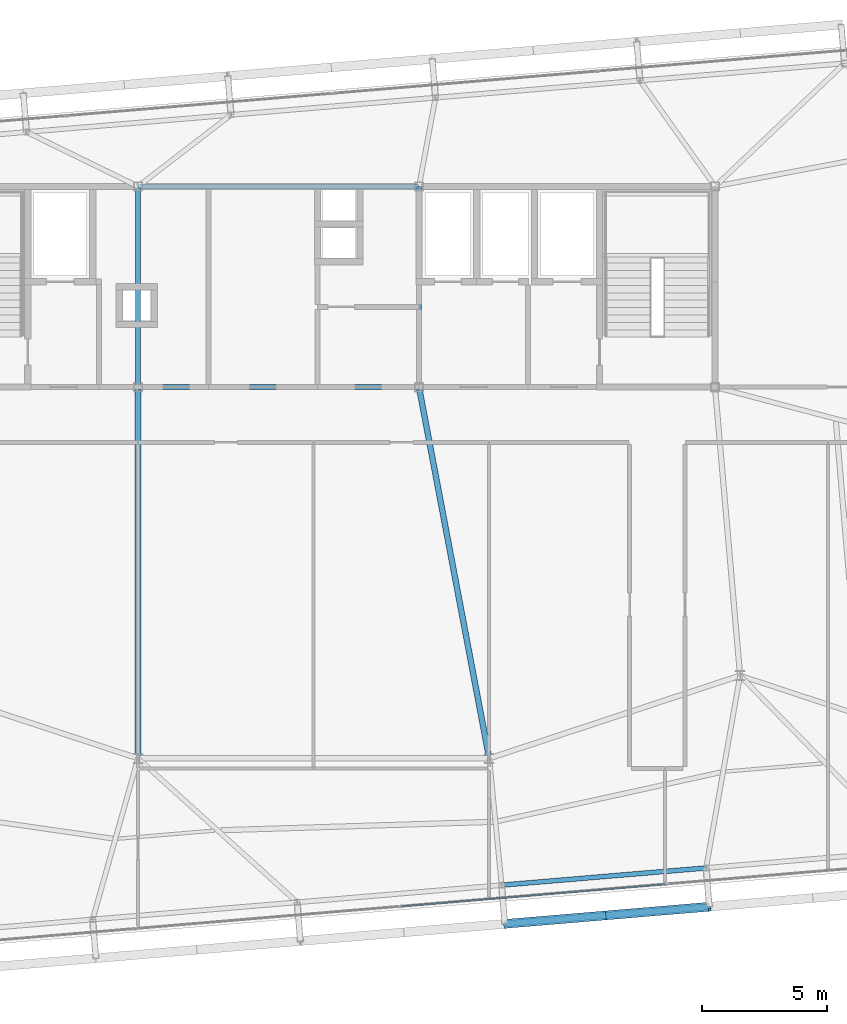
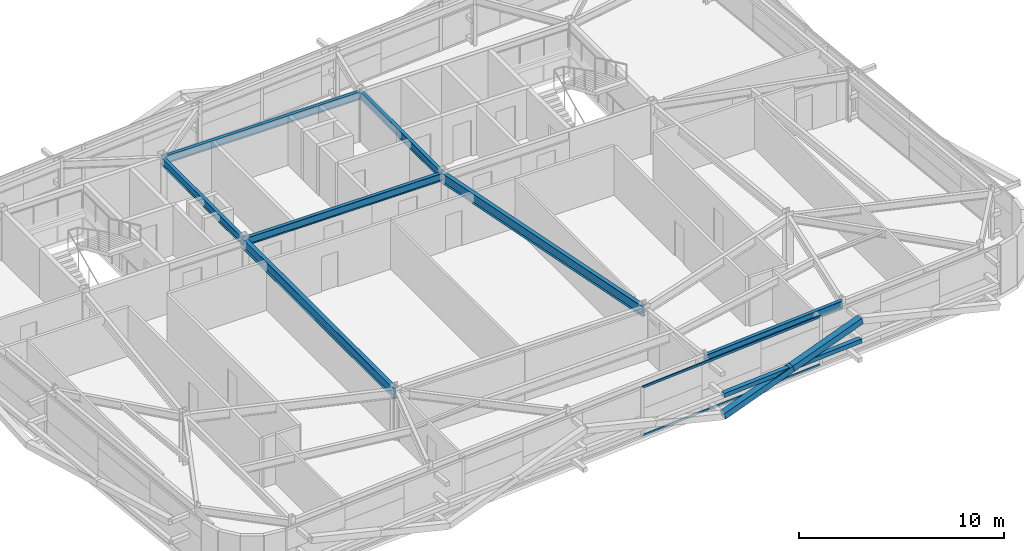
# One storey, part 15 of 39: 7 beams, 5 members, 1 element without a shape of its own.
"""IFC4 building model written with IfcOpenShell, lengths in metres."""

from ifc_helpers import new_model, si_unit, direction, frame, origin, origin_2d, place, context, subcontext, project, spatial, hollow_rectangle, i_section, extrude, source, transform, mapped, material, layer, layer_set, material_profile, profile_set, type_object, element, aggregate, save


model = new_model("IFC4")

# Units and contexts
model_context = context("Model", 3, precision=1e-05, world=origin(), true_north=direction((0.0, 1.0)))
body_context = subcontext(model_context, "Body", "Model", "MODEL_VIEW")
ifc_project = project(units=[si_unit("LENGTHUNIT", "METRE"), si_unit("AREAUNIT", "SQUARE_METRE"), si_unit("VOLUMEUNIT", "CUBIC_METRE"), si_unit("PLANEANGLEUNIT", "RADIAN"), si_unit("MASSUNIT", "GRAM", prefix="KILO")], contexts=[model_context])

# Site, building, storey
site_placement = place(None, origin())
site = spatial("IfcSite", under=ifc_project, at=site_placement, CompositionType="ELEMENT")
building_placement = place(site_placement, origin())
building = spatial("IfcBuilding", under=site, at=building_placement, Name="Taldren Reach Tower", CompositionType="ELEMENT")
storey_placement = place(building_placement, frame((0.0, 0.0, 175.699951171875)))
storey = spatial("IfcBuildingStorey", under=building, at=storey_placement, Name="L53", CompositionType="ELEMENT", Elevation=175.699951171875)

# Beams
ifc_material_1 = material(Name="Steel Gr 350 (350PLUS)", Category="steel")
ifc_material_profile_1 = material_profile(ifc_material_1, i_section(OverallWidth=0.19091796875, OverallDepth=0.4599609375, WebThickness=0.010009765625, FlangeThickness=0.01611328125, at=origin_2d()), Name="460UB82.1")
ifc_profile_set_1 = profile_set([ifc_material_profile_1], Name="Steel Gr 350 (350PLUS)")
beam_type_1 = type_object("IfcBeamType", Name="BM-UB460A", PredefinedType="BEAM", material=ifc_profile_set_1)
shared_shape_1 = source(origin(), body_context, "Body", "SweptSolid", [
    extrude(i_section(OverallWidth=0.19091796875, OverallDepth=0.4599609375, WebThickness=0.010009765625, FlangeThickness=0.01611328125, at=origin_2d()), origin(), (0.0, 0.0, 1.0), 11.199951171875),
])
for number, where, z_axis, x_axis, name in (
    (1, (28.0, 24.0, 2.699951171875), (1.0, 0.0, 0.0), (0.0, 1.0, 0.0), "Core-spine girder L53-SP02"),
    (2, (28.0, 32.0, 2.699951171875), (1.0, 0.0, 0.0), (0.0, 1.0, 0.0), "Core-spine girder L53-SP05"),
):
    element("IfcBeam", number, at=place(storey_placement, frame(where, z_axis=z_axis, x_axis=x_axis)), inside=storey, type_object=beam_type_1, Name=name, PredefinedType="BEAM", context=body_context, shape_type="MappedRepresentation", body=[
        mapped(shared_shape_1, transform((0.0, 0.0, 0.0), scale=1.0)),
    ])
shared_shape_2 = source(origin(), body_context, "Body", "SweptSolid", [
    extrude(i_section(OverallWidth=0.19091796875, OverallDepth=0.4599609375, WebThickness=0.010009765625, FlangeThickness=0.01611328125, at=origin_2d()), origin(), (0.0, 0.0, 1.0), 8.0),
])
for number, where, z_axis, x_axis, name in (
    (3, (28.0, 24.0, 2.699951171875), (0.0, 1.0, 0.0), (-1.0, 0.0, 0.0), "Core-spine girder L53-SP07"),
    (4, (39.199951171875, 24.0, 2.699951171875), (0.0, 1.0, 0.0), (-1.0, 0.0, 0.0), "Core-spine girder L53-SP08"),
):
    element("IfcBeam", number, at=place(storey_placement, frame(where, z_axis=z_axis, x_axis=x_axis)), inside=storey, type_object=beam_type_1, Name=name, PredefinedType="BEAM", context=body_context, shape_type="MappedRepresentation", body=[
        mapped(shared_shape_2, transform((0.0, 0.0, 0.0), scale=1.0)),
    ])
ifc_material_profile_2 = material_profile(ifc_material_1, i_section(OverallWidth=0.22802734375, OverallDepth=0.60205078125, WebThickness=0.010498046875, FlangeThickness=0.014892578125, at=origin_2d()), Name="610UB101")
ifc_profile_set_2 = profile_set([ifc_material_profile_2], Name="Steel Gr 350 (350PLUS)")
beam_type_2 = type_object("IfcBeamType", Name="BM-UB610B", PredefinedType="BEAM", material=ifc_profile_set_2)
shared_shape_3 = source(origin(), body_context, "Body", "SweptSolid", [
    extrude(i_section(OverallWidth=0.22802734375, OverallDepth=0.60205078125, WebThickness=0.010498046875, FlangeThickness=0.014892578125, at=origin_2d()), origin(), (0.0, 0.0, 1.0), 14.800048828125),
])
beam_1_placement = place(storey_placement, frame((28.0, 24.0, 2.629150390625), z_axis=(0.0, -1.0, 0.0), x_axis=(1.0, 0.0, 0.0)))
element("IfcBeam", 5, at=beam_1_placement, inside=storey, type_object=beam_type_2, Name="Core-spine girder L53-SP14", PredefinedType="BEAM", context=body_context, shape_type="MappedRepresentation", body=[
    mapped(shared_shape_3, transform((0.0, 0.0, 0.0), scale=1.0)),
])
shared_shape_4 = source(origin(), body_context, "Body", "SweptSolid", [
    extrude(i_section(OverallWidth=0.22802734375, OverallDepth=0.60205078125, WebThickness=0.010498046875, FlangeThickness=0.014892578125, at=origin_2d()), origin(), (0.0, 0.0, 1.0), 15.0625),
])
beam_2_placement = place(storey_placement, frame((39.199951171875, 24.0, 2.629150390625), z_axis=(0.185894205668, -0.982569765614, 0.0), x_axis=(0.982569765614, 0.185894205668, 0.0)))
element("IfcBeam", 6, at=beam_2_placement, inside=storey, type_object=beam_type_2, Name="Core-spine girder L53-SP15", PredefinedType="BEAM", context=body_context, shape_type="MappedRepresentation", body=[
    mapped(shared_shape_4, transform((0.0, 0.0, 0.0), scale=1.0)),
])
ifc_material_profile_3 = material_profile(ifc_material_1, i_section(OverallWidth=0.18994140625, OverallDepth=0.4541015625, WebThickness=0.008544921875, FlangeThickness=0.0126953125, at=origin_2d()), Name="460UB67.1")
ifc_profile_set_3 = profile_set([ifc_material_profile_3], Name="Steel Gr 350 (350PLUS)")
beam_type_3 = type_object("IfcBeamType", Name="SP-UB460B", PredefinedType="SPANDREL", material=ifc_profile_set_3)
shared_shape_5 = source(origin(), body_context, "Body", "SweptSolid", [
    extrude(i_section(OverallWidth=0.18994140625, OverallDepth=0.4541015625, WebThickness=0.008544921875, FlangeThickness=0.0126953125, at=origin_2d()), origin(), (0.0, 0.0, 1.0), 8.179931640625),
])
beam_3_placement = place(storey_placement, frame((42.49365234375, 4.1474609375, 2.703125), z_axis=(0.99649182565, 0.08369015123, 0.0), x_axis=(-0.08369015123, 0.99649182565, 0.0)))
element("IfcBeam", 7, at=beam_3_placement, inside=storey, type_object=beam_type_3, Name="Perimeter spandrel B4 S4-S5 L53", PredefinedType="SPANDREL", context=body_context, shape_type="MappedRepresentation", body=[
    mapped(shared_shape_5, transform((0.0, 0.0, 0.0), scale=1.0)),
])

# Members
ifc_material_2 = material(Name="Steel Gr 350 (C350L0)", Category="steel")
ifc_material_profile_4 = material_profile(ifc_material_2, hollow_rectangle(XDim=0.25, YDim=0.25, WallThickness=0.010009765625, at=origin_2d()), Name="250x250x10.0SHS")
ifc_profile_set_4 = profile_set([ifc_material_profile_4], Name="Steel Gr 350 (C350L0)")
member_type_1 = type_object("IfcMemberType", Name="MB-POST250", PredefinedType="POST", material=ifc_profile_set_4)
shared_shape_6 = source(origin(), body_context, "Body", "SweptSolid", [
    extrude(hollow_rectangle(XDim=0.25, YDim=0.25, WallThickness=0.010009765625, at=origin_2d()), origin(), (0.0, 0.0, 1.0), 8.179931640625),
])
member_1_placement = place(storey_placement, frame((42.623291015625, 2.60302734375, 1.43505859375), z_axis=(0.996494523218, 0.083658025296, 0.0), x_axis=(-0.083658025296, 0.996494523218, 0.0)))
element("IfcMember", 8, at=member_1_placement, inside=storey, type_object=member_type_1, Name="Exoskeleton mid-height ring chord B4-S4 L53", PredefinedType="POST", context=body_context, shape_type="MappedRepresentation", body=[
    mapped(shared_shape_6, transform((0.0, 0.0, 0.0), scale=1.0)),
])
ifc_material_3 = material(Name="Steel Gr 450 (C450L0)", Category="steel")
ifc_material_profile_5 = material_profile(ifc_material_3, hollow_rectangle(XDim=0.360107421875, YDim=0.360107421875, WallThickness=0.0126953125, at=origin_2d()), Name="360x360x12.7SHS")
ifc_profile_set_5 = profile_set([ifc_material_profile_5], Name="Steel Gr 450 (C450L0)")
member_type_2 = type_object("IfcMemberType", Name="MB-EXO356", PredefinedType="BRACE", material=ifc_profile_set_5)
shared_shape_7 = source(origin(), body_context, "Body", "SweptSolid", [
    extrude(hollow_rectangle(XDim=0.360107421875, YDim=0.360107421875, WallThickness=0.0126953125, at=origin_2d()), origin(), (0.0, 0.0, 1.0), 4.2666015625),
])
for number, where, z_axis, x_axis, name in (
    (9, (42.623291015625, 2.60302734375, 0.219970703125), (0.955233542365, 0.080165460216, 0.28478479336), (-0.083628388178, 0.996497010879, 0.0), "Exoskeleton Diagrid Brace B4-S4 L53"),
    (10, (46.698974609375, 2.945068359375, 1.43505859375), (0.955229159097, 0.080222312271, 0.284783486572), (-0.083687662192, 0.996492034688, 0.0), "Exoskeleton Diagrid Brace B4-S4 L53"),
):
    element("IfcMember", number, at=place(storey_placement, frame(where, z_axis=z_axis, x_axis=x_axis)), inside=storey, type_object=member_type_2, Name=name, PredefinedType="BRACE", context=body_context, shape_type="MappedRepresentation", body=[
        mapped(shared_shape_7, transform((0.0, 0.0, 0.0), scale=1.0)),
    ])

# Curtain wall, members
ifc_material_4 = material(Name="Aluminium and Low-E Glass Unitised System", Category="aluminium")
ifc_layer = layer(ifc_material_4, 0.159912109375)
ifc_layer_set = layer_set([ifc_layer], Name="Aluminium and Low-E Glass Unitised System")
curtain_wall_type = type_object("IfcCurtainWallType", Name="CW-SYS-5", PredefinedType="NOTDEFINED", material=ifc_layer_set)
curtain_wall_placement = place(storey_placement, origin())
curtain_wall = element("IfcCurtainWall", 11, at=curtain_wall_placement, inside=storey, type_object=curtain_wall_type, Name="Unitised curtain wall CW-L53-S", PredefinedType="NOTDEFINED")
ifc_material_5 = material(Name="Anodised Aluminium 6063-T6", Category="aluminium")
ifc_material_profile_6 = material_profile(ifc_material_5, hollow_rectangle(XDim=0.06005859375, YDim=0.135009765625, WallThickness=0.00341796875, at=origin_2d()), Name="ALU-135x60x3.5RHS")
ifc_profile_set_6 = profile_set([ifc_material_profile_6], Name="Anodised Aluminium 6063-T6")
member_type_3 = type_object("IfcMemberType", Name="CW-TRN-150", PredefinedType="USERDEFINED", material=ifc_profile_set_6)
shared_shape_8 = source(origin(), body_context, "Body", "SweptSolid", [
    extrude(hollow_rectangle(XDim=0.06005859375, YDim=0.135009765625, WallThickness=0.00341796875, at=origin_2d()), origin(), (0.0, 0.0, 1.0), 10.55517578125),
])
member_2_placement = place(storey_placement, frame((38.495361328125, 3.300048828125, 0.030029296875), z_axis=(0.996494202684, 0.083661843255, 0.0), x_axis=(-0.083661843255, 0.996494202684, 0.0)))
member_2 = element("IfcMember", 12, at=member_2_placement, type_object=member_type_3, Name="CW-5 transom 3.1", ObjectType="TRANSOM", PredefinedType="USERDEFINED", context=body_context, shape_type="MappedRepresentation", body=[
    mapped(shared_shape_8, transform((0.0, 0.0, 0.0), scale=1.0)),
])
member_3_placement = place(storey_placement, frame((38.495361328125, 3.300048828125, 2.900146484375), z_axis=(0.996494202684, 0.083661843255, 0.0), x_axis=(-0.083661843255, 0.996494202684, 0.0)))
member_3 = element("IfcMember", 13, at=member_3_placement, type_object=member_type_3, Name="CW-5 transom 3.2", ObjectType="TRANSOM", PredefinedType="USERDEFINED", context=body_context, shape_type="MappedRepresentation", body=[
    mapped(shared_shape_8, transform((0.0, 0.0, 0.0), scale=1.0)),
])
aggregate(curtain_wall, [member_2, member_3])

save(model, "model.ifc")
